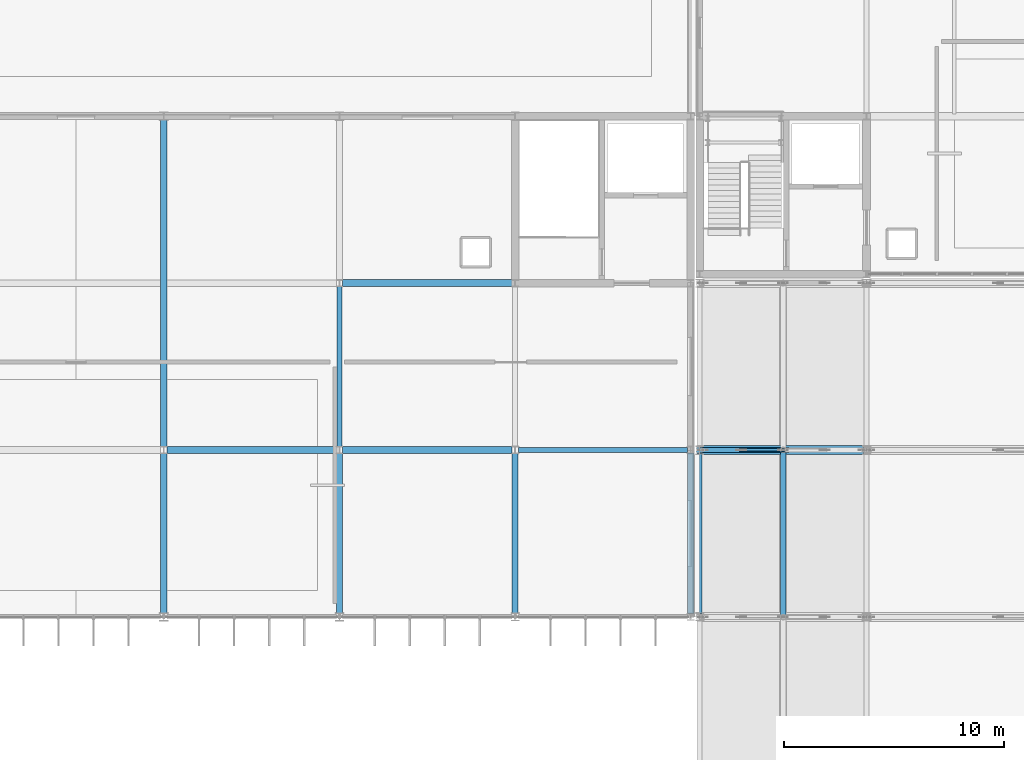
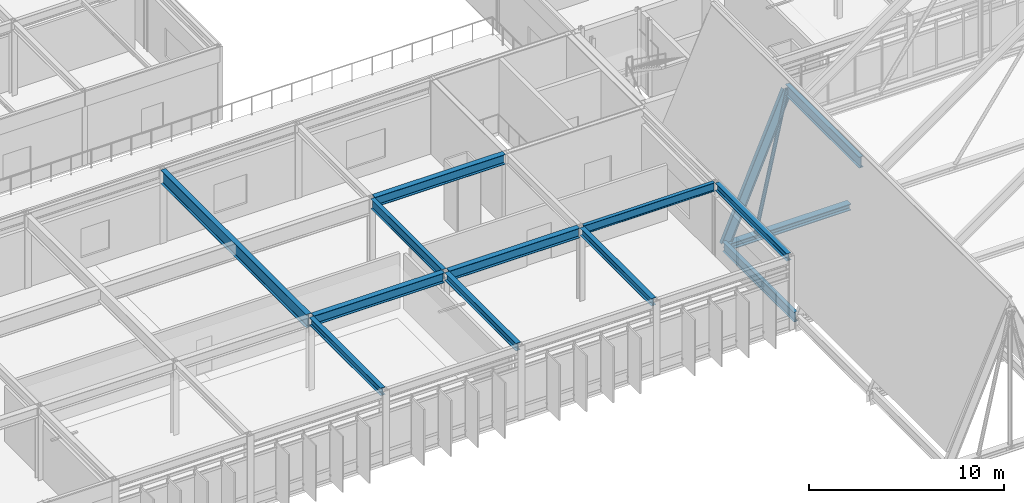
# One storey, part 46 of 100: 13 beams, 2 members.
"""IFC4 building model written with IfcOpenShell, lengths in metres."""

from ifc_helpers import new_model, si_unit, direction, frame, origin, origin_2d, place, context, subcontext, project, spatial, hollow_circle, i_section, extrude, material, material_profile, profile_set, type_object, element, save


model = new_model("IFC4")

# Units and contexts
model_context = context("Model", 3, precision=1e-05, world=origin(), true_north=direction((0.0, 1.0)))
body_context = subcontext(model_context, "Body", "Model", "MODEL_VIEW")
ifc_project = project(units=[si_unit("LENGTHUNIT", "METRE"), si_unit("AREAUNIT", "SQUARE_METRE"), si_unit("VOLUMEUNIT", "CUBIC_METRE"), si_unit("PLANEANGLEUNIT", "RADIAN"), si_unit("MASSUNIT", "GRAM", prefix="KILO")], contexts=[model_context])

# Site, building, storey
site_placement = place(None, origin())
site = spatial("IfcSite", under=ifc_project, at=site_placement, CompositionType="ELEMENT")
building_placement = place(site_placement, origin())
building = spatial("IfcBuilding", under=site, at=building_placement, Name="Zulena Civic Courthouse", CompositionType="ELEMENT")
storey_placement = place(building_placement, frame((0.0, 0.0, 20.39990234375)))
storey = spatial("IfcBuildingStorey", under=building, at=storey_placement, Name="L04", CompositionType="ELEMENT", Elevation=20.39990234375)

# Member
ifc_material_1 = material(Name="Steel ASTM A992 Grade 50", Category="steel")
ifc_material_profile_1 = material_profile(ifc_material_1, i_section(OverallWidth=0.40087890625, OverallDepth=0.39892578125, WebThickness=0.02490234375, FlangeThickness=0.03955078125, FilletRadius=0.01513671875, at=origin_2d()), Name="W14X211")
ifc_profile_set_1 = profile_set([ifc_material_profile_1], Name="Steel ASTM A992 Grade 50")
member_type_1 = type_object("IfcMemberType", Name="Chord_W14X211", PredefinedType="CHORD", material=ifc_profile_set_1)
member_1_placement = place(storey_placement, frame((124.5400390625, 22.800048828125, 0.325439453125), z_axis=(1.0, 0.0, 0.0), x_axis=(0.0, 1.0, 0.0)))
element("IfcMember", 1, at=member_1_placement, inside=storey, type_object=member_type_1, Name="mem:fold:tie:05:22.8", PredefinedType="CHORD", context=body_context, shape_type="SweptSolid", body=[
    extrude(i_section(OverallWidth=0.40087890625, OverallDepth=0.39892578125, WebThickness=0.02490234375, FlangeThickness=0.03955078125, FilletRadius=0.01513671875, at=origin_2d()), origin(), (0.0, 0.0, 1.0), 7.320068359375),
])

# Beams
ifc_material_profile_2 = material_profile(ifc_material_1, i_section(OverallWidth=0.324951171875, OverallDepth=0.615966796875, WebThickness=0.013916015625, FlangeThickness=0.021484375, FilletRadius=0.0126953125, at=origin_2d()), Name="W24X117")
ifc_profile_set_2 = profile_set([ifc_material_profile_2], Name="Steel ASTM A992 Grade 50")
beam_type_1 = type_object("IfcBeamType", Name="Girder_W24X117", PredefinedType="BEAM", material=ifc_profile_set_2)
for number, where, z_axis, x_axis, name in (
    (2, (100.14501953125, 22.800048828125, 4.287109375), (1.0, 0.0, 0.0), (0.0, 1.0, 0.0), "beam:X:V4:L04:22.8:100.0_108.0"),
    (3, (108.14501953125, 22.800048828125, 4.287109375), (1.0, 0.0, 0.0), (0.0, 1.0, 0.0), "beam:X:V4:L04:22.8:108.0_116.0"),
    (4, (108.14501953125, 30.39990234375, 4.287109375), (1.0, 0.0, 0.0), (0.0, 1.0, 0.0), "beam:X:V4:L04:30.4:108.0_116.0"),
):
    element("IfcBeam", number, at=place(storey_placement, frame(where, z_axis=z_axis, x_axis=x_axis)), inside=storey, type_object=beam_type_1, Name=name, PredefinedType="BEAM", context=body_context, shape_type="SweptSolid", body=[
        extrude(i_section(OverallWidth=0.324951171875, OverallDepth=0.615966796875, WebThickness=0.013916015625, FlangeThickness=0.021484375, FilletRadius=0.0126953125, at=origin_2d()), origin(), (0.0, 0.0, 1.0), 7.7099609375),
    ])
ifc_material_profile_3 = material_profile(ifc_material_1, i_section(OverallWidth=0.22998046875, OverallDepth=0.616943359375, WebThickness=0.01318359375, FlangeThickness=0.022216796875, FilletRadius=0.0126953125, at=origin_2d()), Name="W24X94")
ifc_profile_set_3 = profile_set([ifc_material_profile_3], Name="Steel ASTM A992 Grade 50")
beam_type_2 = type_object("IfcBeamType", Name="Girder_W24X94", PredefinedType="BEAM", material=ifc_profile_set_3)
beam_1_placement = place(storey_placement, frame((108.0, 22.945068359375, 4.28662109375), z_axis=(0.0, 1.0, 0.0), x_axis=(-1.0, 0.0, 0.0)))
element("IfcBeam", 5, at=beam_1_placement, inside=storey, type_object=beam_type_2, Name="beam:Y:V4:L04:108.0:22.8_30.4", PredefinedType="BEAM", context=body_context, shape_type="SweptSolid", body=[
    extrude(i_section(OverallWidth=0.22998046875, OverallDepth=0.616943359375, WebThickness=0.01318359375, FlangeThickness=0.022216796875, FilletRadius=0.0126953125, at=origin_2d()), origin(), (0.0, 0.0, 1.0), 7.309814453125),
])
ifc_material_profile_4 = material_profile(ifc_material_1, i_section(OverallWidth=0.2919921875, OverallDepth=0.841064453125, WebThickness=0.0146484375, FlangeThickness=0.021728515625, FilletRadius=0.017822265625, at=origin_2d()), Name="W33X130")
ifc_profile_set_4 = profile_set([ifc_material_profile_4], Name="Steel ASTM A992 Grade 50")
beam_type_3 = type_object("IfcBeamType", Name="Girder_W33X130", PredefinedType="BEAM", material=ifc_profile_set_4)
beam_2_placement = place(storey_placement, frame((100.0, 22.945068359375, 4.174560546875), z_axis=(0.0, 1.0, 0.0), x_axis=(-1.0, 0.0, 0.0)))
element("IfcBeam", 6, at=beam_2_placement, inside=storey, type_object=beam_type_3, Name="beam:Y:V4:L04:100.0:22.8_38.0", PredefinedType="BEAM", context=body_context, shape_type="SweptSolid", body=[
    extrude(i_section(OverallWidth=0.2919921875, OverallDepth=0.841064453125, WebThickness=0.0146484375, FlangeThickness=0.021728515625, FilletRadius=0.017822265625, at=origin_2d()), origin(), (0.0, 0.0, 1.0), 14.909912109375),
])
ifc_material_profile_5 = material_profile(ifc_material_1, i_section(OverallWidth=0.22802734375, OverallDepth=0.60693359375, WebThickness=0.01123046875, FlangeThickness=0.017333984375, FilletRadius=0.0126953125, at=origin_2d()), Name="W24X76")
ifc_profile_set_5 = profile_set([ifc_material_profile_5], Name="Steel ASTM A992 Grade 50")
beam_type_4 = type_object("IfcBeamType", Name="RoofRafter_W24X76", PredefinedType="BEAM", material=ifc_profile_set_5)
beam_3_placement = place(storey_placement, frame((124.5400390625, 22.800048828125, 0.485595703125), z_axis=(0.398521406617, 0.0, 0.917159031176), x_axis=(0.0, 1.0, 0.0)))
element("IfcBeam", 7, at=beam_3_placement, inside=storey, type_object=beam_type_4, Name="beam:fold:rafW:05:22.8", PredefinedType="BEAM", context=body_context, shape_type="SweptSolid", body=[
    extrude(i_section(OverallWidth=0.22802734375, OverallDepth=0.60693359375, WebThickness=0.01123046875, FlangeThickness=0.017333984375, FilletRadius=0.0126953125, at=origin_2d()), origin(), (0.0, 0.0, 1.0), 9.15869140625),
])
beam_4_placement = place(storey_placement, frame((124.39990234375, 15.340087890625, 0.485595703125), z_axis=(0.0, 1.0, 0.0), x_axis=(-1.0, 0.0, 0.0)))
element("IfcBeam", 8, at=beam_4_placement, inside=storey, type_object=beam_type_4, Name="beam:fold:val:L04:124.4:15.2", PredefinedType="BEAM", context=body_context, shape_type="SweptSolid", body=[
    extrude(i_section(OverallWidth=0.22802734375, OverallDepth=0.60693359375, WebThickness=0.01123046875, FlangeThickness=0.017333984375, FilletRadius=0.0126953125, at=origin_2d()), origin(), (0.0, 0.0, 1.0), 7.31982421875),
])
ifc_material_profile_6 = material_profile(ifc_material_1, i_section(OverallWidth=0.25390625, OverallDepth=0.68798828125, WebThickness=0.01318359375, FlangeThickness=0.02099609375, FilletRadius=0.0166015625, at=origin_2d()), Name="W27X102")
ifc_profile_set_6 = profile_set([ifc_material_profile_6], Name="Steel ASTM A992 Grade 50")
beam_type_5 = type_object("IfcBeamType", Name="RoofRafter_W27X102", PredefinedType="BEAM", material=ifc_profile_set_6)
beam_5_placement = place(storey_placement, frame((128.199951171875, 15.219970703125, 8.885498046875), z_axis=(0.0, 1.0, 0.0), x_axis=(-1.0, 0.0, 0.0)))
element("IfcBeam", 9, at=beam_5_placement, inside=storey, type_object=beam_type_5, Name="beam:fold:ridge:05:15.2", PredefinedType="BEAM", context=body_context, shape_type="SweptSolid", body=[
    extrude(i_section(OverallWidth=0.25390625, OverallDepth=0.68798828125, WebThickness=0.01318359375, FlangeThickness=0.02099609375, FilletRadius=0.0166015625, at=origin_2d()), origin(), (0.0, 0.0, 1.0), 7.56005859375),
])

# Member
ifc_material_2 = material(Name="Steel ASTM A500 Grade C", Category="steel")
ifc_material_profile_7 = material_profile(ifc_material_2, hollow_circle(Radius=0.109619140625, WallThickness=0.0087890625, at=origin_2d()), Name="HSS8.625X0.375")
ifc_profile_set_7 = profile_set([ifc_material_profile_7], Name="Steel ASTM A500 Grade C")
member_type_2 = type_object("IfcMemberType", Name="RoofWeb_CHS8", PredefinedType="USERDEFINED", material=ifc_profile_set_7)
member_2_placement = place(storey_placement, frame((126.300048828125, 22.800048828125, 0.325439453125), z_axis=(0.216676912276, 0.0, 0.976243369087), x_axis=(0.0, 1.0, 0.0)))
element("IfcMember", 10, at=member_2_placement, inside=storey, type_object=member_type_2, Name="mem:fold:diagW:05:22.8", ObjectType="ROOF TRUSS", PredefinedType="USERDEFINED", context=body_context, shape_type="SweptSolid", body=[
    extrude(hollow_circle(Radius=0.109619140625, WallThickness=0.0087890625, at=origin_2d()), origin(), (0.0, 0.0, 1.0), 8.768310546875),
])

# Beams
ifc_material_profile_8 = material_profile(ifc_material_1, i_section(OverallWidth=0.280029296875, OverallDepth=0.462890625, WebThickness=0.0107421875, FlangeThickness=0.017333984375, FilletRadius=0.01025390625, at=origin_2d()), Name="W18X76")
ifc_profile_set_8 = profile_set([ifc_material_profile_8], Name="Steel ASTM A992 Grade 50")
beam_type_6 = type_object("IfcBeamType", Name="Spandrel_W18X76", PredefinedType="SPANDREL", material=ifc_profile_set_8)
for number, where, z_axis, x_axis, name in (
    (11, (100.0, 15.344970703125, 4.363525390625), (0.0, 1.0, 0.0), (-1.0, 0.0, 0.0), "beam:Y:V4:L04:100.0:15.2_22.8"),
    (12, (108.0, 15.344970703125, 4.363525390625), (0.0, 1.0, 0.0), (-1.0, 0.0, 0.0), "beam:Y:V4:L04:108.0:15.2_22.8"),
    (13, (116.0, 15.344970703125, 4.363525390625), (0.0, 1.0, 0.0), (-1.0, 0.0, 0.0), "beam:Y:V4:L04:116.0:15.2_22.8"),
    (14, (124.0, 15.344970703125, 4.363525390625), (0.0, 1.0, 0.0), (-1.0, 0.0, 0.0), "beam:Y:V4:L04:124.0:15.2_22.8"),
):
    element("IfcBeam", number, at=place(storey_placement, frame(where, z_axis=z_axis, x_axis=x_axis)), inside=storey, type_object=beam_type_6, Name=name, PredefinedType="SPANDREL", context=body_context, shape_type="SweptSolid", body=[
        extrude(i_section(OverallWidth=0.280029296875, OverallDepth=0.462890625, WebThickness=0.0107421875, FlangeThickness=0.017333984375, FilletRadius=0.01025390625, at=origin_2d()), origin(), (0.0, 0.0, 1.0), 7.31005859375),
    ])
ifc_material_profile_9 = material_profile(ifc_material_1, i_section(OverallWidth=0.2099609375, OverallDepth=0.537109375, WebThickness=0.010986328125, FlangeThickness=0.017333984375, FilletRadius=0.0126953125, at=origin_2d()), Name="W21X68")
ifc_profile_set_9 = profile_set([ifc_material_profile_9], Name="Steel ASTM A992 Grade 50")
beam_type_7 = type_object("IfcBeamType", Name="Spandrel_W21X68", PredefinedType="SPANDREL", material=ifc_profile_set_9)
beam_6_placement = place(storey_placement, frame((116.14501953125, 22.800048828125, 4.32666015625), z_axis=(1.0, 0.0, 0.0), x_axis=(0.0, 1.0, 0.0)))
element("IfcBeam", 15, at=beam_6_placement, inside=storey, type_object=beam_type_7, Name="beam:X:V4:L04:22.8:116.0_124.0", PredefinedType="SPANDREL", context=body_context, shape_type="SweptSolid", body=[
    extrude(i_section(OverallWidth=0.2099609375, OverallDepth=0.537109375, WebThickness=0.010986328125, FlangeThickness=0.017333984375, FilletRadius=0.0126953125, at=origin_2d()), origin(), (0.0, 0.0, 1.0), 7.7099609375),
])

save(model, "model.ifc")
